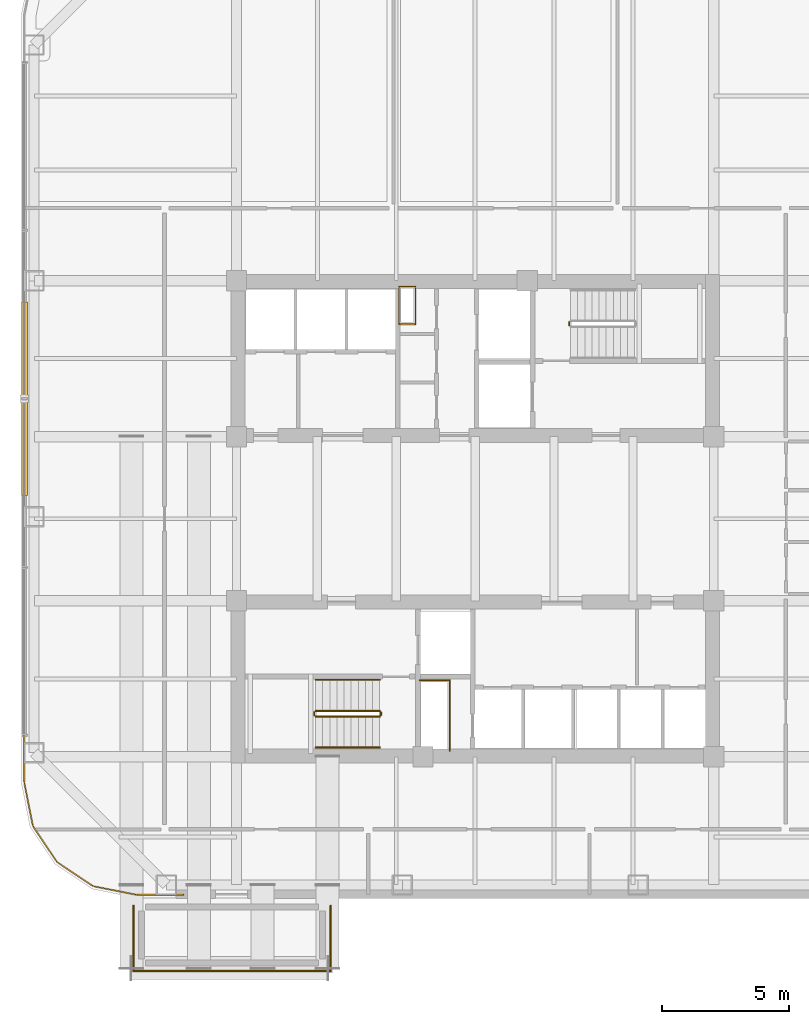
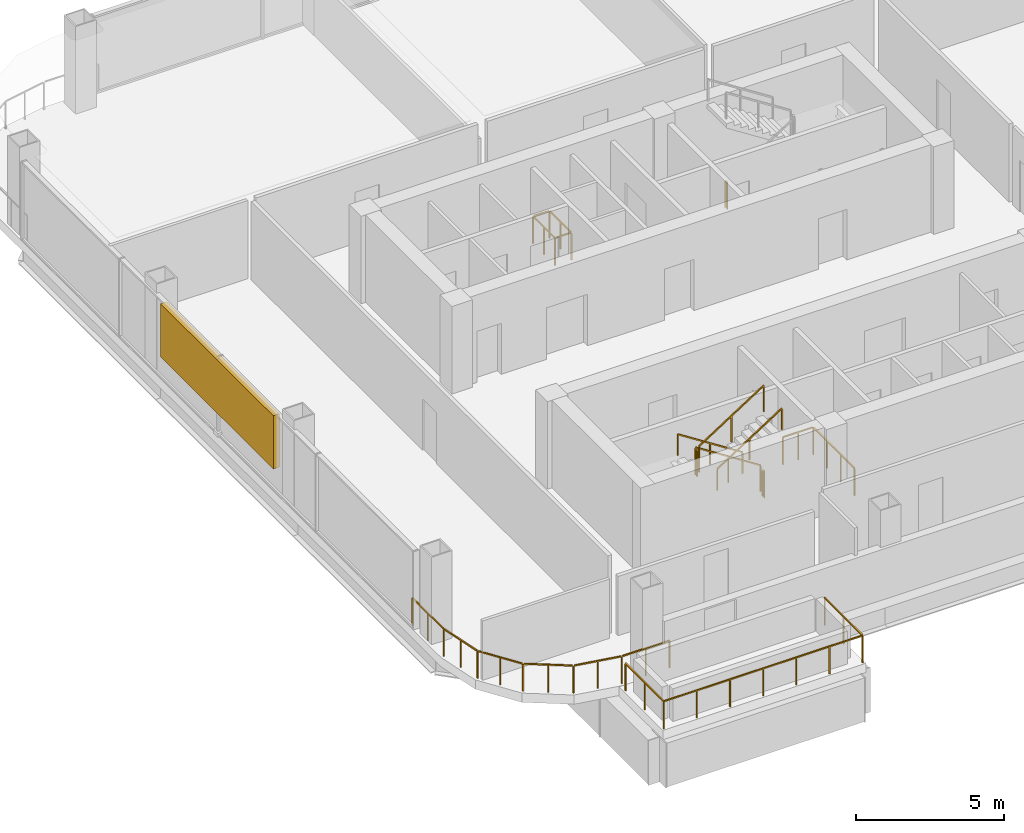
# One storey, part 18 of 20: 13 railings, 1 shading device.
"""IFC4 building model written with IfcOpenShell, lengths in metres."""

from ifc_helpers import new_model, si_unit, direction, frame, origin, origin_2d, place, context, subcontext, project, spatial, rectangle, extrude, material, type_object, element, save


model = new_model("IFC4")

# Units and contexts
model_context = context("Model", 3, precision=1e-05, world=origin(), true_north=direction((0.0, 1.0)))
body_context = subcontext(model_context, "Body", "Model", "MODEL_VIEW")
ifc_project = project(units=[si_unit("LENGTHUNIT", "METRE"), si_unit("AREAUNIT", "SQUARE_METRE"), si_unit("VOLUMEUNIT", "CUBIC_METRE"), si_unit("PLANEANGLEUNIT", "RADIAN"), si_unit("MASSUNIT", "GRAM", prefix="KILO")], contexts=[model_context])

# Site, building, storey
site_placement = place(None, origin())
site = spatial("IfcSite", under=ifc_project, at=site_placement, CompositionType="ELEMENT")
building_placement = place(site_placement, origin())
building = spatial("IfcBuilding", under=site, at=building_placement, Name="Qhalaya Broadcast Tower", CompositionType="ELEMENT")
storey_placement = place(building_placement, frame((0.0, 0.0, 104.85009765625)))
storey = spatial("IfcBuildingStorey", under=building, at=storey_placement, Name="L30", CompositionType="ELEMENT", Elevation=104.85009765625)

# Railings
ifc_material_1 = material(Name="Powder-Coated Galvanised Steel", Category="steel")
railing_type_1 = type_object("IfcRailingType", Name="Stair Wall Handrail 900", PredefinedType="HANDRAIL", material=ifc_material_1)
railing_1_placement = place(storey_placement, frame((-3.75, -5.72998046875, 0.179931640625)))
element("IfcRailing", 1, at=railing_1_placement, inside=storey, type_object=railing_type_1, Name="L30 ST-2 Stair Handrail 1", PredefinedType="HANDRAIL", context=body_context, shape_type="SweptSolid", body=[
    extrude(rectangle(XDim=0.048095703125, YDim=0.048095703125, at=origin_2d()), frame((0.0, 0.0, 0.8759765625), z_axis=(-0.841199657755, 0.0, 0.540724639528), x_axis=(0.0, -1.0, 0.0)), (0.0, 0.0, 1.0), 2.995849609375),
    extrude(rectangle(XDim=0.0419921875, YDim=0.0419921875, at=origin_2d()), origin(), (0.0, 0.0, 1.0), 0.849853515625),
    extrude(rectangle(XDim=0.0419921875, YDim=0.0419921875, at=origin_2d()), frame((-1.260009765625, 0.0, 0.81005859375)), (0.0, 0.0, 1.0), 0.849853515625),
    extrude(rectangle(XDim=0.0419921875, YDim=0.0419921875, at=origin_2d()), frame((-2.52001953125, 0.0, 1.619873046875)), (0.0, 0.0, 1.0), 0.849853515625),
])
railing_2_placement = place(storey_placement, frame((-6.27001953125, -8.389892578125, 1.97998046875)))
element("IfcRailing", 2, at=railing_2_placement, inside=storey, type_object=railing_type_1, Name="L30 ST-2 Stair Handrail 2", PredefinedType="HANDRAIL", context=body_context, shape_type="SweptSolid", body=[
    extrude(rectangle(XDim=0.048095703125, YDim=0.048095703125, at=origin_2d()), frame((0.0, 0.0, 0.8759765625), z_axis=(0.841199657755, 0.0, 0.540724639528), x_axis=(0.0, 1.0, 0.0)), (0.0, 0.0, 1.0), 2.995849609375),
    extrude(rectangle(XDim=0.0419921875, YDim=0.0419921875, at=origin_2d()), origin(), (0.0, 0.0, 1.0), 0.849853515625),
    extrude(rectangle(XDim=0.0419921875, YDim=0.0419921875, at=origin_2d()), frame((1.260009765625, 0.0, 0.81005859375)), (0.0, 0.0, 1.0), 0.849853515625),
    extrude(rectangle(XDim=0.0419921875, YDim=0.0419921875, at=origin_2d()), frame((2.52001953125, 0.0, 1.619873046875)), (0.0, 0.0, 1.0), 0.849853515625),
])
railing_type_2 = type_object("IfcRailingType", Name="Stair Well & Landing Guardrail 1100", PredefinedType="GUARDRAIL", material=ifc_material_1)
railing_3_placement = place(storey_placement, frame((-2.340087890625, 8.239990234375, 0.0)))
element("IfcRailing", 3, at=railing_3_placement, inside=storey, type_object=railing_type_2, Name="L30 Service Riser Opening Safety Guard NRSR", PredefinedType="GUARDRAIL", context=body_context, shape_type="SweptSolid", body=[
    extrude(rectangle(XDim=0.048095703125, YDim=0.048095703125, at=origin_2d()), frame((0.0, 0.02880859375, 1.1259765625), z_axis=(0.0, 1.0, 0.0), x_axis=(-1.0, 0.0, 0.0)), (0.0, 0.0, 1.0), 1.42236328125),
    extrude(rectangle(XDim=0.048095703125, YDim=0.048095703125, at=origin_2d()), frame((-0.02880859375, 1.47998046875, 1.1259765625), z_axis=(-1.0, 0.0, 0.0), x_axis=(0.0, -1.0, 0.0)), (0.0, 0.0, 1.0), 0.582275390625),
    extrude(rectangle(XDim=0.048095703125, YDim=0.048095703125, at=origin_2d()), frame((-0.639892578125, 1.451171875, 1.1259765625), z_axis=(0.0, -1.0, 0.0), x_axis=(1.0, 0.0, 0.0)), (0.0, 0.0, 1.0), 1.42236328125),
    extrude(rectangle(XDim=0.048095703125, YDim=0.048095703125, at=origin_2d()), frame((-0.611083984375, 0.0, 1.1259765625), z_axis=(1.0, 0.0, 0.0), x_axis=(0.0, 1.0, 0.0)), (0.0, 0.0, 1.0), 0.582275390625),
    extrude(rectangle(XDim=0.0419921875, YDim=0.0419921875, at=origin_2d()), origin(), (0.0, 0.0, 1.0), 1.099853515625),
    extrude(rectangle(XDim=0.0419921875, YDim=0.0419921875, at=origin_2d()), frame((0.0, 0.739990234375, 0.0)), (0.0, 0.0, 1.0), 1.099853515625),
    extrude(rectangle(XDim=0.0419921875, YDim=0.0419921875, at=origin_2d()), frame((0.0, 1.47998046875, 0.0)), (0.0, 0.0, 1.0), 1.099853515625),
    extrude(rectangle(XDim=0.0419921875, YDim=0.0419921875, at=origin_2d()), frame((-0.639892578125, 1.47998046875, 0.0)), (0.0, 0.0, 1.0), 1.099853515625),
    extrude(rectangle(XDim=0.0419921875, YDim=0.0419921875, at=origin_2d()), frame((-0.639892578125, 0.739990234375, 0.0)), (0.0, 0.0, 1.0), 1.099853515625),
    extrude(rectangle(XDim=0.0419921875, YDim=0.0419921875, at=origin_2d()), frame((-0.639892578125, 0.0, 0.0)), (0.0, 0.0, 1.0), 1.099853515625),
])
railing_4_placement = place(storey_placement, frame((-1.0, -8.52001953125, 0.0)))
element("IfcRailing", 4, at=railing_4_placement, inside=storey, type_object=railing_type_2, Name="L30 Service Riser Opening Safety Guard SRSR", PredefinedType="GUARDRAIL", context=body_context, shape_type="SweptSolid", body=[
    extrude(rectangle(XDim=0.048095703125, YDim=0.048095703125, at=origin_2d()), frame((0.0, 0.0, 1.1259765625), z_axis=(0.0, 1.0, 0.0), x_axis=(-1.0, 0.0, 0.0)), (0.0, 0.0, 1.0), 2.751220703125),
    extrude(rectangle(XDim=0.048095703125, YDim=0.048095703125, at=origin_2d()), frame((-0.02880859375, 2.780029296875, 1.1259765625), z_axis=(-1.0, 0.0, 0.0), x_axis=(0.0, -1.0, 0.0)), (0.0, 0.0, 1.0), 1.151123046875),
    extrude(rectangle(XDim=0.0419921875, YDim=0.0419921875, at=origin_2d()), origin(), (0.0, 0.0, 1.0), 1.099853515625),
    extrude(rectangle(XDim=0.0419921875, YDim=0.0419921875, at=origin_2d()), frame((0.0, 0.9267578125, 0.0)), (0.0, 0.0, 1.0), 1.099853515625),
    extrude(rectangle(XDim=0.0419921875, YDim=0.0419921875, at=origin_2d()), frame((0.0, 1.853271484375, 0.0)), (0.0, 0.0, 1.0), 1.099853515625),
    extrude(rectangle(XDim=0.0419921875, YDim=0.0419921875, at=origin_2d()), frame((0.0, 2.780029296875, 0.0)), (0.0, 0.0, 1.0), 1.099853515625),
    extrude(rectangle(XDim=0.0419921875, YDim=0.0419921875, at=origin_2d()), frame((-0.58984375, 2.780029296875, 0.0)), (0.0, 0.0, 1.0), 1.099853515625),
    extrude(rectangle(XDim=0.0419921875, YDim=0.0419921875, at=origin_2d()), frame((-1.179931640625, 2.780029296875, 0.0)), (0.0, 0.0, 1.0), 1.099853515625),
])
railing_5_placement = place(storey_placement, frame((3.699951171875, 8.199951171875, 0.0)))
element("IfcRailing", 5, at=railing_5_placement, inside=storey, type_object=railing_type_2, Name="L30 ST-1 Stair Guard 4", PredefinedType="GUARDRAIL", context=body_context, shape_type="SweptSolid", body=[
    extrude(rectangle(XDim=0.048095703125, YDim=0.048095703125, at=origin_2d()), frame((0.0, 0.0, 1.076171875), z_axis=(0.0, 1.0, 0.0), x_axis=(-1.0, 0.0, 0.0)), (0.0, 0.0, 1.0), 0.1201171875),
    extrude(rectangle(XDim=0.0419921875, YDim=0.0419921875, at=origin_2d()), origin(), (0.0, 0.0, 1.0), 1.050048828125),
    extrude(rectangle(XDim=0.0419921875, YDim=0.0419921875, at=origin_2d()), frame((0.0, 0.1201171875, 0.0)), (0.0, 0.0, 1.0), 1.050048828125),
])
railing_6_placement = place(storey_placement, frame((-3.75, -6.949951171875, 0.179931640625)))
element("IfcRailing", 6, at=railing_6_placement, inside=storey, type_object=railing_type_2, Name="L30 ST-2 Stair Guard 1", PredefinedType="GUARDRAIL", context=body_context, shape_type="SweptSolid", body=[
    extrude(rectangle(XDim=0.048095703125, YDim=0.048095703125, at=origin_2d()), frame((0.0, 0.0, 1.076171875), z_axis=(-0.841199657755, 0.0, 0.540724639528), x_axis=(0.0, -1.0, 0.0)), (0.0, 0.0, 1.0), 2.995849609375),
    extrude(rectangle(XDim=0.0419921875, YDim=0.0419921875, at=origin_2d()), origin(), (0.0, 0.0, 1.0), 1.050048828125),
    extrude(rectangle(XDim=0.0419921875, YDim=0.0419921875, at=origin_2d()), frame((-1.260009765625, 0.0, 0.81005859375)), (0.0, 0.0, 1.0), 1.050048828125),
    extrude(rectangle(XDim=0.0419921875, YDim=0.0419921875, at=origin_2d()), frame((-2.52001953125, 0.0, 1.619873046875)), (0.0, 0.0, 1.0), 1.050048828125),
])
railing_7_placement = place(storey_placement, frame((-6.320068359375, -7.0, 1.7998046875)))
element("IfcRailing", 7, at=railing_7_placement, inside=storey, type_object=railing_type_2, Name="L30 ST-2 Stair Guard 2", PredefinedType="GUARDRAIL", context=body_context, shape_type="SweptSolid", body=[
    extrude(rectangle(XDim=0.048095703125, YDim=0.048095703125, at=origin_2d()), frame((0.0, 0.0, 1.076171875), z_axis=(0.0, -1.0, 0.0), x_axis=(1.0, 0.0, 0.0)), (0.0, 0.0, 1.0), 0.1201171875),
    extrude(rectangle(XDim=0.0419921875, YDim=0.0419921875, at=origin_2d()), origin(), (0.0, 0.0, 1.0), 1.050048828125),
    extrude(rectangle(XDim=0.0419921875, YDim=0.0419921875, at=origin_2d()), frame((0.0, -0.1201171875, 0.0)), (0.0, 0.0, 1.0), 1.050048828125),
])
railing_8_placement = place(storey_placement, frame((-6.27001953125, -7.169921875, 1.97998046875)))
element("IfcRailing", 8, at=railing_8_placement, inside=storey, type_object=railing_type_2, Name="L30 ST-2 Stair Guard 3", PredefinedType="GUARDRAIL", context=body_context, shape_type="SweptSolid", body=[
    extrude(rectangle(XDim=0.048095703125, YDim=0.048095703125, at=origin_2d()), frame((0.0, 0.0, 1.076171875), z_axis=(0.841199657755, 0.0, 0.540724639528), x_axis=(0.0, 1.0, 0.0)), (0.0, 0.0, 1.0), 2.995849609375),
    extrude(rectangle(XDim=0.0419921875, YDim=0.0419921875, at=origin_2d()), origin(), (0.0, 0.0, 1.0), 1.050048828125),
    extrude(rectangle(XDim=0.0419921875, YDim=0.0419921875, at=origin_2d()), frame((1.260009765625, 0.0, 0.81005859375)), (0.0, 0.0, 1.0), 1.050048828125),
    extrude(rectangle(XDim=0.0419921875, YDim=0.0419921875, at=origin_2d()), frame((2.52001953125, 0.0, 1.619873046875)), (0.0, 0.0, 1.0), 1.050048828125),
])
railing_9_placement = place(storey_placement, frame((-3.699951171875, -7.0, 0.0)))
element("IfcRailing", 9, at=railing_9_placement, inside=storey, type_object=railing_type_2, Name="L30 ST-2 Stair Guard 4", PredefinedType="GUARDRAIL", context=body_context, shape_type="SweptSolid", body=[
    extrude(rectangle(XDim=0.048095703125, YDim=0.048095703125, at=origin_2d()), frame((0.0, 0.0, 1.076171875), z_axis=(0.0, -1.0, 0.0), x_axis=(1.0, 0.0, 0.0)), (0.0, 0.0, 1.0), 0.1201171875),
    extrude(rectangle(XDim=0.0419921875, YDim=0.0419921875, at=origin_2d()), origin(), (0.0, 0.0, 1.0), 1.050048828125),
    extrude(rectangle(XDim=0.0419921875, YDim=0.0419921875, at=origin_2d()), frame((0.0, -0.1201171875, 0.0)), (0.0, 0.0, 1.0), 1.050048828125),
])
railing_type_3 = type_object("IfcRailingType", Name="Terrace, Sky-Pool & Lookout Glass Balustrade 1150", PredefinedType="BALUSTRADE", material=ifc_material_1)
railing_10_placement = place(storey_placement, frame((-13.419921875, -17.169921875, 0.0)))
element("IfcRailing", 10, at=railing_10_placement, inside=storey, type_object=railing_type_3, Name="L30 Perimeter Safety Balustrade BAL-SKYPOOL-01", PredefinedType="BALUSTRADE", context=body_context, shape_type="SweptSolid", body=[
    extrude(rectangle(XDim=0.048095703125, YDim=0.048095703125, at=origin_2d()), frame((0.0, 0.0, 1.1259765625), z_axis=(0.0, 1.0, 0.0), x_axis=(-1.0, 0.0, 0.0)), (0.0, 0.0, 1.0), 2.571533203125),
    extrude(rectangle(XDim=0.0419921875, YDim=0.0419921875, at=origin_2d()), origin(), (0.0, 0.0, 1.0), 1.099853515625),
    extrude(rectangle(XDim=0.0419921875, YDim=0.0419921875, at=origin_2d()), frame((0.0, 1.28564453125, 0.0)), (0.0, 0.0, 1.0), 1.099853515625),
    extrude(rectangle(XDim=0.0419921875, YDim=0.0419921875, at=origin_2d()), frame((0.0, 2.571533203125, 0.0)), (0.0, 0.0, 1.0), 1.099853515625),
])
railing_11_placement = place(storey_placement, frame((-5.679931640625, -14.610107421875, 0.0)))
element("IfcRailing", 11, at=railing_11_placement, inside=storey, type_object=railing_type_3, Name="L30 Perimeter Safety Balustrade BAL-SKYPOOL-02", PredefinedType="BALUSTRADE", context=body_context, shape_type="SweptSolid", body=[
    extrude(rectangle(XDim=0.048095703125, YDim=0.048095703125, at=origin_2d()), frame((0.0, 0.0, 1.1259765625), z_axis=(0.0, -1.0, 0.0), x_axis=(1.0, 0.0, 0.0)), (0.0, 0.0, 1.0), 2.559814453125),
    extrude(rectangle(XDim=0.0419921875, YDim=0.0419921875, at=origin_2d()), origin(), (0.0, 0.0, 1.0), 1.099853515625),
    extrude(rectangle(XDim=0.0419921875, YDim=0.0419921875, at=origin_2d()), frame((0.0, -1.27978515625, 0.0)), (0.0, 0.0, 1.0), 1.099853515625),
    extrude(rectangle(XDim=0.0419921875, YDim=0.0419921875, at=origin_2d()), frame((0.0, -2.559814453125, 0.0)), (0.0, 0.0, 1.0), 1.099853515625),
])
railing_12_placement = place(storey_placement, frame((-5.679931640625, -17.169921875, 0.0)))
element("IfcRailing", 12, at=railing_12_placement, inside=storey, type_object=railing_type_3, Name="L30 Perimeter Safety Balustrade BAL-SKYPOOL-03", PredefinedType="BALUSTRADE", context=body_context, shape_type="SweptSolid", body=[
    extrude(rectangle(XDim=0.048095703125, YDim=0.048095703125, at=origin_2d()), frame((0.0, 0.0, 1.1259765625), z_axis=(-1.0, 0.0, 0.0), x_axis=(0.0, -1.0, 0.0)), (0.0, 0.0, 1.0), 7.739990234375),
    extrude(rectangle(XDim=0.0419921875, YDim=0.0419921875, at=origin_2d()), origin(), (0.0, 0.0, 1.0), 1.099853515625),
    extrude(rectangle(XDim=0.0419921875, YDim=0.0419921875, at=origin_2d()), frame((-1.2900390625, 0.0, 0.0)), (0.0, 0.0, 1.0), 1.099853515625),
    extrude(rectangle(XDim=0.0419921875, YDim=0.0419921875, at=origin_2d()), frame((-2.580078125, 0.0, 0.0)), (0.0, 0.0, 1.0), 1.099853515625),
    extrude(rectangle(XDim=0.0419921875, YDim=0.0419921875, at=origin_2d()), frame((-3.8701171875, 0.0, 0.0)), (0.0, 0.0, 1.0), 1.099853515625),
    extrude(rectangle(XDim=0.0419921875, YDim=0.0419921875, at=origin_2d()), frame((-5.159912109375, 0.0, 0.0)), (0.0, 0.0, 1.0), 1.099853515625),
    extrude(rectangle(XDim=0.0419921875, YDim=0.0419921875, at=origin_2d()), frame((-6.449951171875, 0.0, 0.0)), (0.0, 0.0, 1.0), 1.099853515625),
    extrude(rectangle(XDim=0.0419921875, YDim=0.0419921875, at=origin_2d()), frame((-7.739990234375, 0.0, 0.0)), (0.0, 0.0, 1.0), 1.099853515625),
])
railing_13_placement = place(storey_placement, frame((-11.4619140625, -14.169921875, 0.0)))
element("IfcRailing", 13, at=railing_13_placement, inside=storey, type_object=railing_type_3, Name="L30 Rounded Corner Perimeter Guard 02", PredefinedType="BALUSTRADE", context=body_context, shape_type="SweptSolid", body=[
    extrude(rectangle(XDim=0.048095703125, YDim=0.048095703125, at=origin_2d()), frame((0.0, 0.0, 1.1259765625), z_axis=(-1.0, 0.0, 0.0), x_axis=(0.0, -1.0, 0.0)), (0.0, 0.0, 1.0), 1.827392578125),
    extrude(rectangle(XDim=0.048095703125, YDim=0.048095703125, at=origin_2d()), frame((-1.884521484375, 0.005615234375, 1.1259765625), z_axis=(-0.980803832953, 0.194997028864, 0.0), x_axis=(-0.194997028864, -0.980803832953, 0.0)), (0.0, 0.0, 1.0), 1.66259765625),
    extrude(rectangle(XDim=0.048095703125, YDim=0.048095703125, at=origin_2d()), frame((-3.5673828125, 0.3515625, 1.1259765625), z_axis=(-0.831456085426, 0.555590476887, 0.0), x_axis=(-0.555590476887, -0.831456085426, 0.0)), (0.0, 0.0, 1.0), 1.650390625),
    extrude(rectangle(XDim=0.048095703125, YDim=0.048095703125, at=origin_2d()), frame((-4.979736328125, 1.308349609375, 1.1259765625), z_axis=(-0.555590476887, 0.831456085426, 0.0), x_axis=(-0.831456085426, -0.555590476887, 0.0)), (0.0, 0.0, 1.0), 1.650390625),
    extrude(rectangle(XDim=0.048095703125, YDim=0.048095703125, at=origin_2d()), frame((-5.918212890625, 2.73291015625, 1.1259765625), z_axis=(-0.195024175165, 0.980798435511, 0.0), x_axis=(-0.980798435511, -0.195024175165, 0.0)), (0.0, 0.0, 1.0), 1.662353515625),
    extrude(rectangle(XDim=0.048095703125, YDim=0.048095703125, at=origin_2d()), frame((-6.248046875, 4.42041015625, 1.1259765625), z_axis=(0.0, 1.0, 0.0), x_axis=(-1.0, 0.0, 0.0)), (0.0, 0.0, 1.0), 2.089599609375),
    extrude(rectangle(XDim=0.0419921875, YDim=0.0419921875, at=origin_2d()), origin(), (0.0, 0.0, 1.0), 1.099853515625),
    extrude(rectangle(XDim=0.0419921875, YDim=0.0419921875, at=origin_2d()), frame((-0.92822265625, 0.0, 0.0)), (0.0, 0.0, 1.0), 1.099853515625),
    extrude(rectangle(XDim=0.0419921875, YDim=0.0419921875, at=origin_2d()), frame((-1.856201171875, 0.0, 0.0)), (0.0, 0.0, 1.0), 1.099853515625),
    extrude(rectangle(XDim=0.0419921875, YDim=0.0419921875, at=origin_2d()), frame((-2.69970703125, 0.167724609375, 0.0)), (0.0, 0.0, 1.0), 1.099853515625),
    extrude(rectangle(XDim=0.0419921875, YDim=0.0419921875, at=origin_2d()), frame((-3.54345703125, 0.33544921875, 0.0)), (0.0, 0.0, 1.0), 1.099853515625),
    extrude(rectangle(XDim=0.0419921875, YDim=0.0419921875, at=origin_2d()), frame((-4.25341796875, 0.81005859375, 0.0)), (0.0, 0.0, 1.0), 1.099853515625),
    extrude(rectangle(XDim=0.0419921875, YDim=0.0419921875, at=origin_2d()), frame((-4.963623046875, 1.284423828125, 0.0)), (0.0, 0.0, 1.0), 1.099853515625),
    extrude(rectangle(XDim=0.0419921875, YDim=0.0419921875, at=origin_2d()), frame((-5.43798828125, 1.99462890625, 0.0)), (0.0, 0.0, 1.0), 1.099853515625),
    extrude(rectangle(XDim=0.0419921875, YDim=0.0419921875, at=origin_2d()), frame((-5.91259765625, 2.70458984375, 0.0)), (0.0, 0.0, 1.0), 1.099853515625),
    extrude(rectangle(XDim=0.0419921875, YDim=0.0419921875, at=origin_2d()), frame((-6.080322265625, 3.548095703125, 0.0)), (0.0, 0.0, 1.0), 1.099853515625),
    extrude(rectangle(XDim=0.0419921875, YDim=0.0419921875, at=origin_2d()), frame((-6.248046875, 4.3916015625, 0.0)), (0.0, 0.0, 1.0), 1.099853515625),
    extrude(rectangle(XDim=0.0419921875, YDim=0.0419921875, at=origin_2d()), frame((-6.248046875, 5.45068359375, 0.0)), (0.0, 0.0, 1.0), 1.099853515625),
    extrude(rectangle(XDim=0.0419921875, YDim=0.0419921875, at=origin_2d()), frame((-6.248046875, 6.510009765625, 0.0)), (0.0, 0.0, 1.0), 1.099853515625),
])

# Shading device
ifc_material_2 = material(Name="Fired Architectural Terracotta", Category="masonry")
shading_device_type = type_object("IfcShadingDeviceType", Name="Terracotta Baguette Solar Screen Assembly TBS-01", PredefinedType="USERDEFINED", material=ifc_material_2)
shading_device_placement = place(storey_placement, frame((-17.7099609375, 5.31005859375, 0.9013671875), z_axis=(0.0, 0.0, 1.0), x_axis=(0.0, -1.0, 0.0)))
element("IfcShadingDevice", 14, at=shading_device_placement, inside=storey, type_object=shading_device_type, Name="L30 Fired Terracotta Baguette Screen W", ObjectType="BAGUETTE", PredefinedType="USERDEFINED", context=body_context, shape_type="SweptSolid", body=[
    extrude(rectangle(XDim=7.60009765625, YDim=0.239990234375, at=origin_2d()), origin(), (0.0, 0.0, 1.0), 2.18994140625),
])

save(model, "model.ifc")
